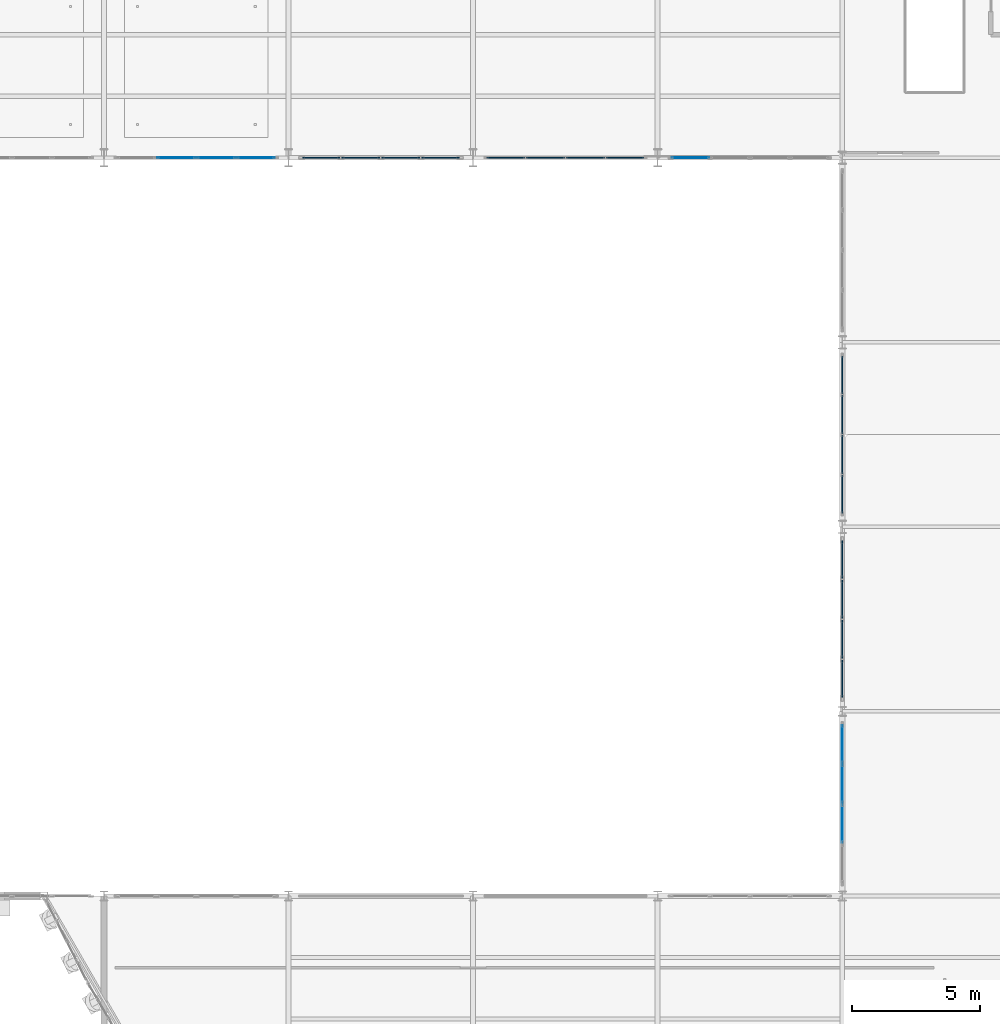
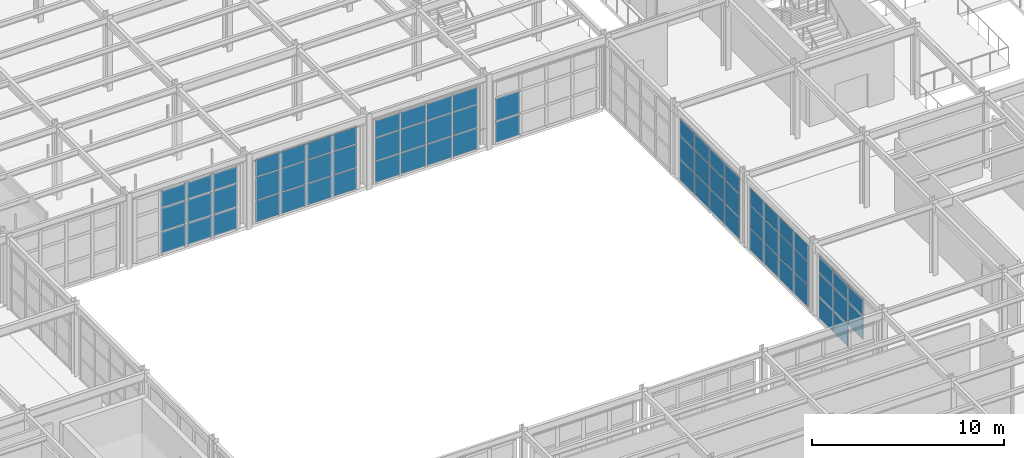
# One storey, part 80 of 121: 67 plates, 7 elements without a shape of their own.
"""IFC4 building model written with IfcOpenShell, lengths in metres."""

from ifc_helpers import new_model, si_unit, direction, frame, origin, origin_2d, place, context, subcontext, project, spatial, rectangle, extrude, material, layer, layer_set, type_object, element, aggregate, save


model = new_model("IFC4")

# Units and contexts
model_context = context("Model", 3, precision=1e-05, world=origin(), true_north=direction((0.0, 1.0)))
body_context = subcontext(model_context, "Body", "Model", "MODEL_VIEW")
ifc_project = project(units=[si_unit("LENGTHUNIT", "METRE"), si_unit("AREAUNIT", "SQUARE_METRE"), si_unit("VOLUMEUNIT", "CUBIC_METRE"), si_unit("PLANEANGLEUNIT", "RADIAN"), si_unit("MASSUNIT", "GRAM", prefix="KILO")], contexts=[model_context])

# Site, building, storey
site_placement = place(None, origin())
site = spatial("IfcSite", under=ifc_project, at=site_placement, CompositionType="ELEMENT")
building_placement = place(site_placement, origin())
building = spatial("IfcBuilding", under=site, at=building_placement, Name="Solvadek Multi-Sports Hall", CompositionType="ELEMENT")
storey_placement = place(building_placement, frame((0.0, 0.0, 4.800048828125)))
storey = spatial("IfcBuildingStorey", under=building, at=storey_placement, Name="L01", CompositionType="ELEMENT", Elevation=4.800048828125)

# Curtain wall, plates
ifc_material_1 = material(Name="Anodised aluminium", Category="aluminium")
ifc_layer_1 = layer(ifc_material_1, 0.159912109375, Name="Anodised aluminium")
ifc_layer_set_1 = layer_set([ifc_layer_1], Name="Anodised aluminium")
curtain_wall_type_1 = type_object("IfcCurtainWallType", Name="ENV-CW-624X400", PredefinedType="USERDEFINED", material=ifc_layer_set_1)
curtain_wall_1_placement = place(storey_placement, origin())
curtain_wall_1 = element("IfcCurtainWall", 1, at=curtain_wall_1_placement, inside=storey, type_object=curtain_wall_type_1, Name="L01 Perimeter Bay Curtain Wall #178", ObjectType="CURTAIN WALL", PredefinedType="USERDEFINED")
ifc_material_2 = material(Name="Tempered laminated low-E glass", Category="glass")
ifc_layer_2 = layer(ifc_material_2, 0.02392578125, Name="Tempered laminated low-E glass")
ifc_layer_set_2 = layer_set([ifc_layer_2], Name="Tempered laminated low-E glass")
plate_type_1 = type_object("IfcPlateType", Name="ENV-CWP-01", PredefinedType="CURTAIN_PANEL", material=ifc_layer_set_2)
plate_1_placement = place(storey_placement, frame((51.675048828125, 49.199951171875, 0.06494140625), z_axis=(0.0, 0.0, 1.0), x_axis=(1.0, 0.0, 0.0)))
plate_1 = element("IfcPlate", 2, at=plate_1_placement, type_object=plate_type_1, Name="CW-56 panel 1.1", PredefinedType="CURTAIN_PANEL", context=body_context, shape_type="SweptSolid", body=[
    extrude(rectangle(XDim=1.469970703125, YDim=0.02392578125, at=origin_2d()), origin(), (0.0, 0.0, 1.0), 1.302490234375),
])
plate_2_placement = place(storey_placement, frame((51.675048828125, 49.199951171875, 1.432373046875), z_axis=(0.0, 0.0, 1.0), x_axis=(1.0, 0.0, 0.0)))
plate_2 = element("IfcPlate", 3, at=plate_2_placement, type_object=plate_type_1, Name="CW-56 panel 1.2", PredefinedType="CURTAIN_PANEL", context=body_context, shape_type="SweptSolid", body=[
    extrude(rectangle(XDim=1.469970703125, YDim=0.02392578125, at=origin_2d()), origin(), (0.0, 0.0, 1.0), 1.4150390625),
])
aggregate(curtain_wall_1, [plate_1, plate_2])

ifc_layer_3 = layer(ifc_material_1, 0.159912109375, Name="Anodised aluminium")
ifc_layer_set_3 = layer_set([ifc_layer_3], Name="Anodised aluminium")
curtain_wall_type_2 = type_object("IfcCurtainWallType", Name="ENV-CW-624X408", PredefinedType="USERDEFINED", material=ifc_layer_set_3)
curtain_wall_2_placement = place(storey_placement, origin())
curtain_wall_2 = element("IfcCurtainWall", 4, at=curtain_wall_2_placement, inside=storey, type_object=curtain_wall_type_2, Name="L01 Perimeter Bay Curtain Wall #162", ObjectType="CURTAIN WALL", PredefinedType="USERDEFINED")
ifc_layer_4 = layer(ifc_material_2, 0.035888671875, Name="Tempered laminated low-E glass")
ifc_layer_set_4 = layer_set([ifc_layer_4], Name="Tempered laminated low-E glass")
plate_type_2 = type_object("IfcPlateType", Name="ENV-CWP-04", PredefinedType="CURTAIN_PANEL", material=ifc_layer_set_4)
plate_3_placement = place(storey_placement, frame((31.6201171875, 49.199951171875, 0.06494140625), z_axis=(0.0, 0.0, 1.0), x_axis=(1.0, 0.0, 0.0)))
plate_3 = element("IfcPlate", 5, at=plate_3_placement, type_object=plate_type_2, Name="CW-40 panel 2.1", PredefinedType="CURTAIN_PANEL", context=body_context, shape_type="SweptSolid", body=[
    extrude(rectangle(XDim=1.4951171875, YDim=0.035888671875, at=origin_2d()), origin(), (0.0, 0.0, 1.0), 1.32861328125),
])
plate_4_placement = place(storey_placement, frame((31.6201171875, 49.199951171875, 1.45849609375), z_axis=(0.0, 0.0, 1.0), x_axis=(1.0, 0.0, 0.0)))
plate_4 = element("IfcPlate", 6, at=plate_4_placement, type_object=plate_type_2, Name="CW-40 panel 2.2", PredefinedType="CURTAIN_PANEL", context=body_context, shape_type="SweptSolid", body=[
    extrude(rectangle(XDim=1.4951171875, YDim=0.035888671875, at=origin_2d()), origin(), (0.0, 0.0, 1.0), 1.443115234375),
])
plate_5_placement = place(storey_placement, frame((31.6201171875, 49.199951171875, 2.966552734375), z_axis=(0.0, 0.0, 1.0), x_axis=(1.0, 0.0, 0.0)))
plate_5 = element("IfcPlate", 7, at=plate_5_placement, type_object=plate_type_2, Name="CW-40 panel 2.3", PredefinedType="CURTAIN_PANEL", context=body_context, shape_type="SweptSolid", body=[
    extrude(rectangle(XDim=1.4951171875, YDim=0.035888671875, at=origin_2d()), origin(), (0.0, 0.0, 1.0), 1.04345703125),
])
plate_6_placement = place(storey_placement, frame((33.179931640625, 49.199951171875, 0.06494140625), z_axis=(0.0, 0.0, 1.0), x_axis=(1.0, 0.0, 0.0)))
plate_6 = element("IfcPlate", 8, at=plate_6_placement, type_object=plate_type_2, Name="CW-40 panel 3.1", PredefinedType="CURTAIN_PANEL", context=body_context, shape_type="SweptSolid", body=[
    extrude(rectangle(XDim=1.4951171875, YDim=0.035888671875, at=origin_2d()), origin(), (0.0, 0.0, 1.0), 1.32861328125),
])
plate_7_placement = place(storey_placement, frame((33.179931640625, 49.199951171875, 1.45849609375), z_axis=(0.0, 0.0, 1.0), x_axis=(1.0, 0.0, 0.0)))
plate_7 = element("IfcPlate", 9, at=plate_7_placement, type_object=plate_type_2, Name="CW-40 panel 3.2", PredefinedType="CURTAIN_PANEL", context=body_context, shape_type="SweptSolid", body=[
    extrude(rectangle(XDim=1.4951171875, YDim=0.035888671875, at=origin_2d()), origin(), (0.0, 0.0, 1.0), 1.443115234375),
])
plate_8_placement = place(storey_placement, frame((33.179931640625, 49.199951171875, 2.966552734375), z_axis=(0.0, 0.0, 1.0), x_axis=(1.0, 0.0, 0.0)))
plate_8 = element("IfcPlate", 10, at=plate_8_placement, type_object=plate_type_2, Name="CW-40 panel 3.3", PredefinedType="CURTAIN_PANEL", context=body_context, shape_type="SweptSolid", body=[
    extrude(rectangle(XDim=1.4951171875, YDim=0.035888671875, at=origin_2d()), origin(), (0.0, 0.0, 1.0), 1.04345703125),
])
plate_9_placement = place(storey_placement, frame((34.7236328125, 49.199951171875, 0.06494140625), z_axis=(0.0, 0.0, 1.0), x_axis=(1.0, 0.0, 0.0)))
plate_9 = element("IfcPlate", 11, at=plate_9_placement, type_object=plate_type_2, Name="CW-40 panel 4.1", PredefinedType="CURTAIN_PANEL", context=body_context, shape_type="SweptSolid", body=[
    extrude(rectangle(XDim=1.46240234375, YDim=0.035888671875, at=origin_2d()), origin(), (0.0, 0.0, 1.0), 1.32861328125),
])
plate_10_placement = place(storey_placement, frame((34.7236328125, 49.199951171875, 1.45849609375), z_axis=(0.0, 0.0, 1.0), x_axis=(1.0, 0.0, 0.0)))
plate_10 = element("IfcPlate", 12, at=plate_10_placement, type_object=plate_type_2, Name="CW-40 panel 4.2", PredefinedType="CURTAIN_PANEL", context=body_context, shape_type="SweptSolid", body=[
    extrude(rectangle(XDim=1.46240234375, YDim=0.035888671875, at=origin_2d()), origin(), (0.0, 0.0, 1.0), 1.443115234375),
])
plate_11_placement = place(storey_placement, frame((34.7236328125, 49.199951171875, 2.966552734375), z_axis=(0.0, 0.0, 1.0), x_axis=(1.0, 0.0, 0.0)))
plate_11 = element("IfcPlate", 13, at=plate_11_placement, type_object=plate_type_2, Name="CW-40 panel 4.3", PredefinedType="CURTAIN_PANEL", context=body_context, shape_type="SweptSolid", body=[
    extrude(rectangle(XDim=1.46240234375, YDim=0.035888671875, at=origin_2d()), origin(), (0.0, 0.0, 1.0), 1.04345703125),
])
aggregate(curtain_wall_2, [plate_3, plate_4, plate_5, plate_6, plate_7, plate_8, plate_9, plate_10, plate_11])

curtain_wall_3_placement = place(storey_placement, origin())
curtain_wall_3 = element("IfcCurtainWall", 14, at=curtain_wall_3_placement, inside=storey, type_object=curtain_wall_type_2, Name="L01 Perimeter Bay Curtain Wall #184", ObjectType="CURTAIN WALL", PredefinedType="USERDEFINED")
plate_12_placement = place(storey_placement, frame((57.60009765625, 23.219970703125, 1.45849609375), z_axis=(0.0, 0.0, 1.0), x_axis=(0.0, 1.0, 0.0)))
plate_12 = element("IfcPlate", 15, at=plate_12_placement, type_object=plate_type_2, Name="CW-40 panel 2.2", PredefinedType="CURTAIN_PANEL", context=body_context, shape_type="SweptSolid", body=[
    extrude(rectangle(XDim=1.4951171875, YDim=0.035888671875, at=origin_2d()), origin(), (0.0, 0.0, 1.0), 1.443115234375),
])
plate_13_placement = place(storey_placement, frame((57.60009765625, 23.219970703125, 2.966552734375), z_axis=(0.0, 0.0, 1.0), x_axis=(0.0, 1.0, 0.0)))
plate_13 = element("IfcPlate", 16, at=plate_13_placement, type_object=plate_type_2, Name="CW-40 panel 2.3", PredefinedType="CURTAIN_PANEL", context=body_context, shape_type="SweptSolid", body=[
    extrude(rectangle(XDim=1.4951171875, YDim=0.035888671875, at=origin_2d()), origin(), (0.0, 0.0, 1.0), 1.04345703125),
])
plate_14_placement = place(storey_placement, frame((57.60009765625, 24.780029296875, 0.06494140625), z_axis=(0.0, 0.0, 1.0), x_axis=(0.0, 1.0, 0.0)))
plate_14 = element("IfcPlate", 17, at=plate_14_placement, type_object=plate_type_2, Name="CW-40 panel 3.1", PredefinedType="CURTAIN_PANEL", context=body_context, shape_type="SweptSolid", body=[
    extrude(rectangle(XDim=1.4951171875, YDim=0.035888671875, at=origin_2d()), origin(), (0.0, 0.0, 1.0), 1.32861328125),
])
plate_15_placement = place(storey_placement, frame((57.60009765625, 24.780029296875, 1.45849609375), z_axis=(0.0, 0.0, 1.0), x_axis=(0.0, 1.0, 0.0)))
plate_15 = element("IfcPlate", 18, at=plate_15_placement, type_object=plate_type_2, Name="CW-40 panel 3.2", PredefinedType="CURTAIN_PANEL", context=body_context, shape_type="SweptSolid", body=[
    extrude(rectangle(XDim=1.4951171875, YDim=0.035888671875, at=origin_2d()), origin(), (0.0, 0.0, 1.0), 1.443115234375),
])
plate_16_placement = place(storey_placement, frame((57.60009765625, 24.780029296875, 2.966552734375), z_axis=(0.0, 0.0, 1.0), x_axis=(0.0, 1.0, 0.0)))
plate_16 = element("IfcPlate", 19, at=plate_16_placement, type_object=plate_type_2, Name="CW-40 panel 3.3", PredefinedType="CURTAIN_PANEL", context=body_context, shape_type="SweptSolid", body=[
    extrude(rectangle(XDim=1.4951171875, YDim=0.035888671875, at=origin_2d()), origin(), (0.0, 0.0, 1.0), 1.04345703125),
])
plate_17_placement = place(storey_placement, frame((57.60009765625, 26.32373046875, 0.06494140625), z_axis=(0.0, 0.0, 1.0), x_axis=(0.0, 1.0, 0.0)))
plate_17 = element("IfcPlate", 20, at=plate_17_placement, type_object=plate_type_2, Name="CW-40 panel 4.1", PredefinedType="CURTAIN_PANEL", context=body_context, shape_type="SweptSolid", body=[
    extrude(rectangle(XDim=1.46240234375, YDim=0.035888671875, at=origin_2d()), origin(), (0.0, 0.0, 1.0), 1.32861328125),
])
plate_18_placement = place(storey_placement, frame((57.60009765625, 26.32373046875, 1.45849609375), z_axis=(0.0, 0.0, 1.0), x_axis=(0.0, 1.0, 0.0)))
plate_18 = element("IfcPlate", 21, at=plate_18_placement, type_object=plate_type_2, Name="CW-40 panel 4.2", PredefinedType="CURTAIN_PANEL", context=body_context, shape_type="SweptSolid", body=[
    extrude(rectangle(XDim=1.46240234375, YDim=0.035888671875, at=origin_2d()), origin(), (0.0, 0.0, 1.0), 1.443115234375),
])
plate_19_placement = place(storey_placement, frame((57.60009765625, 26.32373046875, 2.966552734375), z_axis=(0.0, 0.0, 1.0), x_axis=(0.0, 1.0, 0.0)))
plate_19 = element("IfcPlate", 22, at=plate_19_placement, type_object=plate_type_2, Name="CW-40 panel 4.3", PredefinedType="CURTAIN_PANEL", context=body_context, shape_type="SweptSolid", body=[
    extrude(rectangle(XDim=1.46240234375, YDim=0.035888671875, at=origin_2d()), origin(), (0.0, 0.0, 1.0), 1.04345703125),
])
aggregate(curtain_wall_3, [plate_12, plate_13, plate_14, plate_15, plate_16, plate_17, plate_18, plate_19])

ifc_layer_5 = layer(ifc_material_1, 0.159912109375, Name="Anodised aluminium")
ifc_layer_set_5 = layer_set([ifc_layer_5], Name="Anodised aluminium")
curtain_wall_type_3 = type_object("IfcCurtainWallType", Name="ENV-CW-624X405", PredefinedType="USERDEFINED", material=ifc_layer_set_5)
curtain_wall_4_placement = place(storey_placement, origin())
curtain_wall_4 = element("IfcCurtainWall", 23, at=curtain_wall_4_placement, inside=storey, type_object=curtain_wall_type_3, Name="L01 Perimeter Bay Curtain Wall #166", ObjectType="CURTAIN WALL", PredefinedType="USERDEFINED")
ifc_layer_6 = layer(ifc_material_2, 0.0419921875, Name="Tempered laminated low-E glass")
ifc_layer_set_6 = layer_set([ifc_layer_6], Name="Tempered laminated low-E glass")
plate_type_3 = type_object("IfcPlateType", Name="ENV-CWP-05", PredefinedType="CURTAIN_PANEL", material=ifc_layer_set_6)
plate_20_placement = place(storey_placement, frame((37.277587890625, 49.199951171875, 0.06005859375), z_axis=(0.0, 0.0, 1.0), x_axis=(1.0, 0.0, 0.0)))
plate_20 = element("IfcPlate", 24, at=plate_20_placement, type_object=plate_type_3, Name="CW-52 panel 1.1", PredefinedType="CURTAIN_PANEL", context=body_context, shape_type="SweptSolid", body=[
    extrude(rectangle(XDim=1.455078125, YDim=0.0419921875, at=origin_2d()), origin(), (0.0, 0.0, 1.0), 1.326904296875),
])
plate_21_placement = place(storey_placement, frame((37.277587890625, 49.199951171875, 1.447021484375), z_axis=(0.0, 0.0, 1.0), x_axis=(1.0, 0.0, 0.0)))
plate_21 = element("IfcPlate", 25, at=plate_21_placement, type_object=plate_type_3, Name="CW-52 panel 1.2", PredefinedType="CURTAIN_PANEL", context=body_context, shape_type="SweptSolid", body=[
    extrude(rectangle(XDim=1.455078125, YDim=0.0419921875, at=origin_2d()), origin(), (0.0, 0.0, 1.0), 1.43896484375),
])
plate_22_placement = place(storey_placement, frame((37.277587890625, 49.199951171875, 2.946044921875), z_axis=(0.0, 0.0, 1.0), x_axis=(1.0, 0.0, 0.0)))
plate_22 = element("IfcPlate", 26, at=plate_22_placement, type_object=plate_type_3, Name="CW-52 panel 1.3", PredefinedType="CURTAIN_PANEL", context=body_context, shape_type="SweptSolid", body=[
    extrude(rectangle(XDim=1.455078125, YDim=0.0419921875, at=origin_2d()), origin(), (0.0, 0.0, 1.0), 1.0439453125),
])
plate_23_placement = place(storey_placement, frame((38.820068359375, 49.199951171875, 0.06005859375), z_axis=(0.0, 0.0, 1.0), x_axis=(1.0, 0.0, 0.0)))
plate_23 = element("IfcPlate", 27, at=plate_23_placement, type_object=plate_type_3, Name="CW-52 panel 2.1", PredefinedType="CURTAIN_PANEL", context=body_context, shape_type="SweptSolid", body=[
    extrude(rectangle(XDim=1.489990234375, YDim=0.0419921875, at=origin_2d()), origin(), (0.0, 0.0, 1.0), 1.326904296875),
])
plate_24_placement = place(storey_placement, frame((38.820068359375, 49.199951171875, 1.447021484375), z_axis=(0.0, 0.0, 1.0), x_axis=(1.0, 0.0, 0.0)))
plate_24 = element("IfcPlate", 28, at=plate_24_placement, type_object=plate_type_3, Name="CW-52 panel 2.2", PredefinedType="CURTAIN_PANEL", context=body_context, shape_type="SweptSolid", body=[
    extrude(rectangle(XDim=1.489990234375, YDim=0.0419921875, at=origin_2d()), origin(), (0.0, 0.0, 1.0), 1.43896484375),
])
plate_25_placement = place(storey_placement, frame((38.820068359375, 49.199951171875, 2.946044921875), z_axis=(0.0, 0.0, 1.0), x_axis=(1.0, 0.0, 0.0)))
plate_25 = element("IfcPlate", 29, at=plate_25_placement, type_object=plate_type_3, Name="CW-52 panel 2.3", PredefinedType="CURTAIN_PANEL", context=body_context, shape_type="SweptSolid", body=[
    extrude(rectangle(XDim=1.489990234375, YDim=0.0419921875, at=origin_2d()), origin(), (0.0, 0.0, 1.0), 1.0439453125),
])
plate_26_placement = place(storey_placement, frame((40.3798828125, 49.199951171875, 0.06005859375), z_axis=(0.0, 0.0, 1.0), x_axis=(1.0, 0.0, 0.0)))
plate_26 = element("IfcPlate", 30, at=plate_26_placement, type_object=plate_type_3, Name="CW-52 panel 3.1", PredefinedType="CURTAIN_PANEL", context=body_context, shape_type="SweptSolid", body=[
    extrude(rectangle(XDim=1.489990234375, YDim=0.0419921875, at=origin_2d()), origin(), (0.0, 0.0, 1.0), 1.326904296875),
])
plate_27_placement = place(storey_placement, frame((40.3798828125, 49.199951171875, 1.447021484375), z_axis=(0.0, 0.0, 1.0), x_axis=(1.0, 0.0, 0.0)))
plate_27 = element("IfcPlate", 31, at=plate_27_placement, type_object=plate_type_3, Name="CW-52 panel 3.2", PredefinedType="CURTAIN_PANEL", context=body_context, shape_type="SweptSolid", body=[
    extrude(rectangle(XDim=1.489990234375, YDim=0.0419921875, at=origin_2d()), origin(), (0.0, 0.0, 1.0), 1.43896484375),
])
plate_28_placement = place(storey_placement, frame((40.3798828125, 49.199951171875, 2.946044921875), z_axis=(0.0, 0.0, 1.0), x_axis=(1.0, 0.0, 0.0)))
plate_28 = element("IfcPlate", 32, at=plate_28_placement, type_object=plate_type_3, Name="CW-52 panel 3.3", PredefinedType="CURTAIN_PANEL", context=body_context, shape_type="SweptSolid", body=[
    extrude(rectangle(XDim=1.489990234375, YDim=0.0419921875, at=origin_2d()), origin(), (0.0, 0.0, 1.0), 1.0439453125),
])
plate_29_placement = place(storey_placement, frame((41.922607421875, 49.199951171875, 0.06005859375), z_axis=(0.0, 0.0, 1.0), x_axis=(1.0, 0.0, 0.0)))
plate_29 = element("IfcPlate", 33, at=plate_29_placement, type_object=plate_type_3, Name="CW-52 panel 4.1", PredefinedType="CURTAIN_PANEL", context=body_context, shape_type="SweptSolid", body=[
    extrude(rectangle(XDim=1.455078125, YDim=0.0419921875, at=origin_2d()), origin(), (0.0, 0.0, 1.0), 1.326904296875),
])
plate_30_placement = place(storey_placement, frame((41.922607421875, 49.199951171875, 1.447021484375), z_axis=(0.0, 0.0, 1.0), x_axis=(1.0, 0.0, 0.0)))
plate_30 = element("IfcPlate", 34, at=plate_30_placement, type_object=plate_type_3, Name="CW-52 panel 4.2", PredefinedType="CURTAIN_PANEL", context=body_context, shape_type="SweptSolid", body=[
    extrude(rectangle(XDim=1.455078125, YDim=0.0419921875, at=origin_2d()), origin(), (0.0, 0.0, 1.0), 1.43896484375),
])
plate_31_placement = place(storey_placement, frame((41.922607421875, 49.199951171875, 2.946044921875), z_axis=(0.0, 0.0, 1.0), x_axis=(1.0, 0.0, 0.0)))
plate_31 = element("IfcPlate", 35, at=plate_31_placement, type_object=plate_type_3, Name="CW-52 panel 4.3", PredefinedType="CURTAIN_PANEL", context=body_context, shape_type="SweptSolid", body=[
    extrude(rectangle(XDim=1.455078125, YDim=0.0419921875, at=origin_2d()), origin(), (0.0, 0.0, 1.0), 1.0439453125),
])
aggregate(curtain_wall_4, [plate_20, plate_21, plate_22, plate_23, plate_24, plate_25, plate_26, plate_27, plate_28, plate_29, plate_30, plate_31])

curtain_wall_5_placement = place(storey_placement, origin())
curtain_wall_5 = element("IfcCurtainWall", 36, at=curtain_wall_5_placement, inside=storey, type_object=curtain_wall_type_3, Name="L01 Perimeter Bay Curtain Wall #190", ObjectType="CURTAIN WALL", PredefinedType="USERDEFINED")
plate_32_placement = place(storey_placement, frame((57.60009765625, 28.87744140625, 0.06005859375), z_axis=(0.0, 0.0, 1.0), x_axis=(0.0, 1.0, 0.0)))
plate_32 = element("IfcPlate", 37, at=plate_32_placement, type_object=plate_type_3, Name="CW-52 panel 1.1", PredefinedType="CURTAIN_PANEL", context=body_context, shape_type="SweptSolid", body=[
    extrude(rectangle(XDim=1.455078125, YDim=0.0419921875, at=origin_2d()), origin(), (0.0, 0.0, 1.0), 1.326904296875),
])
plate_33_placement = place(storey_placement, frame((57.60009765625, 28.87744140625, 1.447021484375), z_axis=(0.0, 0.0, 1.0), x_axis=(0.0, 1.0, 0.0)))
plate_33 = element("IfcPlate", 38, at=plate_33_placement, type_object=plate_type_3, Name="CW-52 panel 1.2", PredefinedType="CURTAIN_PANEL", context=body_context, shape_type="SweptSolid", body=[
    extrude(rectangle(XDim=1.455078125, YDim=0.0419921875, at=origin_2d()), origin(), (0.0, 0.0, 1.0), 1.43896484375),
])
plate_34_placement = place(storey_placement, frame((57.60009765625, 28.87744140625, 2.946044921875), z_axis=(0.0, 0.0, 1.0), x_axis=(0.0, 1.0, 0.0)))
plate_34 = element("IfcPlate", 39, at=plate_34_placement, type_object=plate_type_3, Name="CW-52 panel 1.3", PredefinedType="CURTAIN_PANEL", context=body_context, shape_type="SweptSolid", body=[
    extrude(rectangle(XDim=1.455078125, YDim=0.0419921875, at=origin_2d()), origin(), (0.0, 0.0, 1.0), 1.0439453125),
])
plate_35_placement = place(storey_placement, frame((57.60009765625, 30.419921875, 0.06005859375), z_axis=(0.0, 0.0, 1.0), x_axis=(0.0, 1.0, 0.0)))
plate_35 = element("IfcPlate", 40, at=plate_35_placement, type_object=plate_type_3, Name="CW-52 panel 2.1", PredefinedType="CURTAIN_PANEL", context=body_context, shape_type="SweptSolid", body=[
    extrude(rectangle(XDim=1.489990234375, YDim=0.0419921875, at=origin_2d()), origin(), (0.0, 0.0, 1.0), 1.326904296875),
])
plate_36_placement = place(storey_placement, frame((57.60009765625, 30.419921875, 1.447021484375), z_axis=(0.0, 0.0, 1.0), x_axis=(0.0, 1.0, 0.0)))
plate_36 = element("IfcPlate", 41, at=plate_36_placement, type_object=plate_type_3, Name="CW-52 panel 2.2", PredefinedType="CURTAIN_PANEL", context=body_context, shape_type="SweptSolid", body=[
    extrude(rectangle(XDim=1.489990234375, YDim=0.0419921875, at=origin_2d()), origin(), (0.0, 0.0, 1.0), 1.43896484375),
])
plate_37_placement = place(storey_placement, frame((57.60009765625, 30.419921875, 2.946044921875), z_axis=(0.0, 0.0, 1.0), x_axis=(0.0, 1.0, 0.0)))
plate_37 = element("IfcPlate", 42, at=plate_37_placement, type_object=plate_type_3, Name="CW-52 panel 2.3", PredefinedType="CURTAIN_PANEL", context=body_context, shape_type="SweptSolid", body=[
    extrude(rectangle(XDim=1.489990234375, YDim=0.0419921875, at=origin_2d()), origin(), (0.0, 0.0, 1.0), 1.0439453125),
])
plate_38_placement = place(storey_placement, frame((57.60009765625, 31.97998046875, 0.06005859375), z_axis=(0.0, 0.0, 1.0), x_axis=(0.0, 1.0, 0.0)))
plate_38 = element("IfcPlate", 43, at=plate_38_placement, type_object=plate_type_3, Name="CW-52 panel 3.1", PredefinedType="CURTAIN_PANEL", context=body_context, shape_type="SweptSolid", body=[
    extrude(rectangle(XDim=1.489990234375, YDim=0.0419921875, at=origin_2d()), origin(), (0.0, 0.0, 1.0), 1.326904296875),
])
plate_39_placement = place(storey_placement, frame((57.60009765625, 31.97998046875, 1.447021484375), z_axis=(0.0, 0.0, 1.0), x_axis=(0.0, 1.0, 0.0)))
plate_39 = element("IfcPlate", 44, at=plate_39_placement, type_object=plate_type_3, Name="CW-52 panel 3.2", PredefinedType="CURTAIN_PANEL", context=body_context, shape_type="SweptSolid", body=[
    extrude(rectangle(XDim=1.489990234375, YDim=0.0419921875, at=origin_2d()), origin(), (0.0, 0.0, 1.0), 1.43896484375),
])
plate_40_placement = place(storey_placement, frame((57.60009765625, 31.97998046875, 2.946044921875), z_axis=(0.0, 0.0, 1.0), x_axis=(0.0, 1.0, 0.0)))
plate_40 = element("IfcPlate", 45, at=plate_40_placement, type_object=plate_type_3, Name="CW-52 panel 3.3", PredefinedType="CURTAIN_PANEL", context=body_context, shape_type="SweptSolid", body=[
    extrude(rectangle(XDim=1.489990234375, YDim=0.0419921875, at=origin_2d()), origin(), (0.0, 0.0, 1.0), 1.0439453125),
])
plate_41_placement = place(storey_placement, frame((57.60009765625, 33.5224609375, 0.06005859375), z_axis=(0.0, 0.0, 1.0), x_axis=(0.0, 1.0, 0.0)))
plate_41 = element("IfcPlate", 46, at=plate_41_placement, type_object=plate_type_3, Name="CW-52 panel 4.1", PredefinedType="CURTAIN_PANEL", context=body_context, shape_type="SweptSolid", body=[
    extrude(rectangle(XDim=1.455078125, YDim=0.0419921875, at=origin_2d()), origin(), (0.0, 0.0, 1.0), 1.326904296875),
])
plate_42_placement = place(storey_placement, frame((57.60009765625, 33.5224609375, 1.447021484375), z_axis=(0.0, 0.0, 1.0), x_axis=(0.0, 1.0, 0.0)))
plate_42 = element("IfcPlate", 47, at=plate_42_placement, type_object=plate_type_3, Name="CW-52 panel 4.2", PredefinedType="CURTAIN_PANEL", context=body_context, shape_type="SweptSolid", body=[
    extrude(rectangle(XDim=1.455078125, YDim=0.0419921875, at=origin_2d()), origin(), (0.0, 0.0, 1.0), 1.43896484375),
])
plate_43_placement = place(storey_placement, frame((57.60009765625, 33.5224609375, 2.946044921875), z_axis=(0.0, 0.0, 1.0), x_axis=(0.0, 1.0, 0.0)))
plate_43 = element("IfcPlate", 48, at=plate_43_placement, type_object=plate_type_3, Name="CW-52 panel 4.3", PredefinedType="CURTAIN_PANEL", context=body_context, shape_type="SweptSolid", body=[
    extrude(rectangle(XDim=1.455078125, YDim=0.0419921875, at=origin_2d()), origin(), (0.0, 0.0, 1.0), 1.0439453125),
])
aggregate(curtain_wall_5, [plate_32, plate_33, plate_34, plate_35, plate_36, plate_37, plate_38, plate_39, plate_40, plate_41, plate_42, plate_43])

ifc_layer_7 = layer(ifc_material_1, 0.159912109375, Name="Anodised aluminium")
ifc_layer_set_7 = layer_set([ifc_layer_7], Name="Anodised aluminium")
curtain_wall_type_4 = type_object("IfcCurtainWallType", Name="ENV-CW-624X402", PredefinedType="USERDEFINED", material=ifc_layer_set_7)
curtain_wall_6_placement = place(storey_placement, origin())
curtain_wall_6 = element("IfcCurtainWall", 49, at=curtain_wall_6_placement, inside=storey, type_object=curtain_wall_type_4, Name="L01 Perimeter Bay Curtain Wall #172", ObjectType="CURTAIN WALL", PredefinedType="USERDEFINED")
ifc_layer_8 = layer(ifc_material_2, 0.048095703125, Name="Tempered laminated low-E glass")
ifc_layer_set_8 = layer_set([ifc_layer_8], Name="Tempered laminated low-E glass")
plate_type_4 = type_object("IfcPlateType", Name="ENV-CWP-06", PredefinedType="CURTAIN_PANEL", material=ifc_layer_set_8)
plate_44_placement = place(storey_placement, frame((44.47509765625, 49.199951171875, 0.06005859375), z_axis=(0.0, 0.0, 1.0), x_axis=(1.0, 0.0, 0.0)))
plate_44 = element("IfcPlate", 50, at=plate_44_placement, type_object=plate_type_4, Name="CW-55 panel 1.1", PredefinedType="CURTAIN_PANEL", context=body_context, shape_type="SweptSolid", body=[
    extrude(rectangle(XDim=1.469970703125, YDim=0.048095703125, at=origin_2d()), origin(), (0.0, 0.0, 1.0), 1.319091796875),
])
plate_45_placement = place(storey_placement, frame((44.47509765625, 49.199951171875, 1.43896484375), z_axis=(0.0, 0.0, 1.0), x_axis=(1.0, 0.0, 0.0)))
plate_45 = element("IfcPlate", 51, at=plate_45_placement, type_object=plate_type_4, Name="CW-55 panel 1.2", PredefinedType="CURTAIN_PANEL", context=body_context, shape_type="SweptSolid", body=[
    extrude(rectangle(XDim=1.469970703125, YDim=0.048095703125, at=origin_2d()), origin(), (0.0, 0.0, 1.0), 1.428955078125),
])
plate_46_placement = place(storey_placement, frame((44.47509765625, 49.199951171875, 2.927978515625), z_axis=(0.0, 0.0, 1.0), x_axis=(1.0, 0.0, 0.0)))
plate_46 = element("IfcPlate", 52, at=plate_46_placement, type_object=plate_type_4, Name="CW-55 panel 1.3", PredefinedType="CURTAIN_PANEL", context=body_context, shape_type="SweptSolid", body=[
    extrude(rectangle(XDim=1.469970703125, YDim=0.048095703125, at=origin_2d()), origin(), (0.0, 0.0, 1.0), 1.037109375),
])
plate_47_placement = place(storey_placement, frame((46.02001953125, 49.199951171875, 0.06005859375), z_axis=(0.0, 0.0, 1.0), x_axis=(1.0, 0.0, 0.0)))
plate_47 = element("IfcPlate", 53, at=plate_47_placement, type_object=plate_type_4, Name="CW-55 panel 2.1", PredefinedType="CURTAIN_PANEL", context=body_context, shape_type="SweptSolid", body=[
    extrude(rectangle(XDim=1.5, YDim=0.048095703125, at=origin_2d()), origin(), (0.0, 0.0, 1.0), 1.319091796875),
])
plate_48_placement = place(storey_placement, frame((46.02001953125, 49.199951171875, 1.43896484375), z_axis=(0.0, 0.0, 1.0), x_axis=(1.0, 0.0, 0.0)))
plate_48 = element("IfcPlate", 54, at=plate_48_placement, type_object=plate_type_4, Name="CW-55 panel 2.2", PredefinedType="CURTAIN_PANEL", context=body_context, shape_type="SweptSolid", body=[
    extrude(rectangle(XDim=1.5, YDim=0.048095703125, at=origin_2d()), origin(), (0.0, 0.0, 1.0), 1.428955078125),
])
plate_49_placement = place(storey_placement, frame((46.02001953125, 49.199951171875, 2.927978515625), z_axis=(0.0, 0.0, 1.0), x_axis=(1.0, 0.0, 0.0)))
plate_49 = element("IfcPlate", 55, at=plate_49_placement, type_object=plate_type_4, Name="CW-55 panel 2.3", PredefinedType="CURTAIN_PANEL", context=body_context, shape_type="SweptSolid", body=[
    extrude(rectangle(XDim=1.5, YDim=0.048095703125, at=origin_2d()), origin(), (0.0, 0.0, 1.0), 1.037109375),
])
plate_50_placement = place(storey_placement, frame((47.580078125, 49.199951171875, 0.06005859375), z_axis=(0.0, 0.0, 1.0), x_axis=(1.0, 0.0, 0.0)))
plate_50 = element("IfcPlate", 56, at=plate_50_placement, type_object=plate_type_4, Name="CW-55 panel 3.1", PredefinedType="CURTAIN_PANEL", context=body_context, shape_type="SweptSolid", body=[
    extrude(rectangle(XDim=1.5, YDim=0.048095703125, at=origin_2d()), origin(), (0.0, 0.0, 1.0), 1.319091796875),
])
plate_51_placement = place(storey_placement, frame((47.580078125, 49.199951171875, 1.43896484375), z_axis=(0.0, 0.0, 1.0), x_axis=(1.0, 0.0, 0.0)))
plate_51 = element("IfcPlate", 57, at=plate_51_placement, type_object=plate_type_4, Name="CW-55 panel 3.2", PredefinedType="CURTAIN_PANEL", context=body_context, shape_type="SweptSolid", body=[
    extrude(rectangle(XDim=1.5, YDim=0.048095703125, at=origin_2d()), origin(), (0.0, 0.0, 1.0), 1.428955078125),
])
plate_52_placement = place(storey_placement, frame((47.580078125, 49.199951171875, 2.927978515625), z_axis=(0.0, 0.0, 1.0), x_axis=(1.0, 0.0, 0.0)))
plate_52 = element("IfcPlate", 58, at=plate_52_placement, type_object=plate_type_4, Name="CW-55 panel 3.3", PredefinedType="CURTAIN_PANEL", context=body_context, shape_type="SweptSolid", body=[
    extrude(rectangle(XDim=1.5, YDim=0.048095703125, at=origin_2d()), origin(), (0.0, 0.0, 1.0), 1.037109375),
])
plate_53_placement = place(storey_placement, frame((49.125, 49.199951171875, 0.06005859375), z_axis=(0.0, 0.0, 1.0), x_axis=(1.0, 0.0, 0.0)))
plate_53 = element("IfcPlate", 59, at=plate_53_placement, type_object=plate_type_4, Name="CW-55 panel 4.1", PredefinedType="CURTAIN_PANEL", context=body_context, shape_type="SweptSolid", body=[
    extrude(rectangle(XDim=1.469970703125, YDim=0.048095703125, at=origin_2d()), origin(), (0.0, 0.0, 1.0), 1.319091796875),
])
plate_54_placement = place(storey_placement, frame((49.125, 49.199951171875, 1.43896484375), z_axis=(0.0, 0.0, 1.0), x_axis=(1.0, 0.0, 0.0)))
plate_54 = element("IfcPlate", 60, at=plate_54_placement, type_object=plate_type_4, Name="CW-55 panel 4.2", PredefinedType="CURTAIN_PANEL", context=body_context, shape_type="SweptSolid", body=[
    extrude(rectangle(XDim=1.469970703125, YDim=0.048095703125, at=origin_2d()), origin(), (0.0, 0.0, 1.0), 1.428955078125),
])
plate_55_placement = place(storey_placement, frame((49.125, 49.199951171875, 2.927978515625), z_axis=(0.0, 0.0, 1.0), x_axis=(1.0, 0.0, 0.0)))
plate_55 = element("IfcPlate", 61, at=plate_55_placement, type_object=plate_type_4, Name="CW-55 panel 4.3", PredefinedType="CURTAIN_PANEL", context=body_context, shape_type="SweptSolid", body=[
    extrude(rectangle(XDim=1.469970703125, YDim=0.048095703125, at=origin_2d()), origin(), (0.0, 0.0, 1.0), 1.037109375),
])
aggregate(curtain_wall_6, [plate_44, plate_45, plate_46, plate_47, plate_48, plate_49, plate_50, plate_51, plate_52, plate_53, plate_54, plate_55])

curtain_wall_7_placement = place(storey_placement, origin())
curtain_wall_7 = element("IfcCurtainWall", 62, at=curtain_wall_7_placement, inside=storey, type_object=curtain_wall_type_4, Name="L01 Perimeter Bay Curtain Wall #195", ObjectType="CURTAIN WALL", PredefinedType="USERDEFINED")
plate_56_placement = place(storey_placement, frame((57.60009765625, 36.074951171875, 0.06005859375), z_axis=(0.0, 0.0, 1.0), x_axis=(0.0, 1.0, 0.0)))
plate_56 = element("IfcPlate", 63, at=plate_56_placement, type_object=plate_type_4, Name="CW-55 panel 1.1", PredefinedType="CURTAIN_PANEL", context=body_context, shape_type="SweptSolid", body=[
    extrude(rectangle(XDim=1.469970703125, YDim=0.048095703125, at=origin_2d()), origin(), (0.0, 0.0, 1.0), 1.319091796875),
])
plate_57_placement = place(storey_placement, frame((57.60009765625, 36.074951171875, 1.43896484375), z_axis=(0.0, 0.0, 1.0), x_axis=(0.0, 1.0, 0.0)))
plate_57 = element("IfcPlate", 64, at=plate_57_placement, type_object=plate_type_4, Name="CW-55 panel 1.2", PredefinedType="CURTAIN_PANEL", context=body_context, shape_type="SweptSolid", body=[
    extrude(rectangle(XDim=1.469970703125, YDim=0.048095703125, at=origin_2d()), origin(), (0.0, 0.0, 1.0), 1.428955078125),
])
plate_58_placement = place(storey_placement, frame((57.60009765625, 36.074951171875, 2.927978515625), z_axis=(0.0, 0.0, 1.0), x_axis=(0.0, 1.0, 0.0)))
plate_58 = element("IfcPlate", 65, at=plate_58_placement, type_object=plate_type_4, Name="CW-55 panel 1.3", PredefinedType="CURTAIN_PANEL", context=body_context, shape_type="SweptSolid", body=[
    extrude(rectangle(XDim=1.469970703125, YDim=0.048095703125, at=origin_2d()), origin(), (0.0, 0.0, 1.0), 1.037109375),
])
plate_59_placement = place(storey_placement, frame((57.60009765625, 37.6201171875, 0.06005859375), z_axis=(0.0, 0.0, 1.0), x_axis=(0.0, 1.0, 0.0)))
plate_59 = element("IfcPlate", 66, at=plate_59_placement, type_object=plate_type_4, Name="CW-55 panel 2.1", PredefinedType="CURTAIN_PANEL", context=body_context, shape_type="SweptSolid", body=[
    extrude(rectangle(XDim=1.5, YDim=0.048095703125, at=origin_2d()), origin(), (0.0, 0.0, 1.0), 1.319091796875),
])
plate_60_placement = place(storey_placement, frame((57.60009765625, 37.6201171875, 1.43896484375), z_axis=(0.0, 0.0, 1.0), x_axis=(0.0, 1.0, 0.0)))
plate_60 = element("IfcPlate", 67, at=plate_60_placement, type_object=plate_type_4, Name="CW-55 panel 2.2", PredefinedType="CURTAIN_PANEL", context=body_context, shape_type="SweptSolid", body=[
    extrude(rectangle(XDim=1.5, YDim=0.048095703125, at=origin_2d()), origin(), (0.0, 0.0, 1.0), 1.428955078125),
])
plate_61_placement = place(storey_placement, frame((57.60009765625, 37.6201171875, 2.927978515625), z_axis=(0.0, 0.0, 1.0), x_axis=(0.0, 1.0, 0.0)))
plate_61 = element("IfcPlate", 68, at=plate_61_placement, type_object=plate_type_4, Name="CW-55 panel 2.3", PredefinedType="CURTAIN_PANEL", context=body_context, shape_type="SweptSolid", body=[
    extrude(rectangle(XDim=1.5, YDim=0.048095703125, at=origin_2d()), origin(), (0.0, 0.0, 1.0), 1.037109375),
])
plate_62_placement = place(storey_placement, frame((57.60009765625, 39.179931640625, 0.06005859375), z_axis=(0.0, 0.0, 1.0), x_axis=(0.0, 1.0, 0.0)))
plate_62 = element("IfcPlate", 69, at=plate_62_placement, type_object=plate_type_4, Name="CW-55 panel 3.1", PredefinedType="CURTAIN_PANEL", context=body_context, shape_type="SweptSolid", body=[
    extrude(rectangle(XDim=1.5, YDim=0.048095703125, at=origin_2d()), origin(), (0.0, 0.0, 1.0), 1.319091796875),
])
plate_63_placement = place(storey_placement, frame((57.60009765625, 39.179931640625, 1.43896484375), z_axis=(0.0, 0.0, 1.0), x_axis=(0.0, 1.0, 0.0)))
plate_63 = element("IfcPlate", 70, at=plate_63_placement, type_object=plate_type_4, Name="CW-55 panel 3.2", PredefinedType="CURTAIN_PANEL", context=body_context, shape_type="SweptSolid", body=[
    extrude(rectangle(XDim=1.5, YDim=0.048095703125, at=origin_2d()), origin(), (0.0, 0.0, 1.0), 1.428955078125),
])
plate_64_placement = place(storey_placement, frame((57.60009765625, 39.179931640625, 2.927978515625), z_axis=(0.0, 0.0, 1.0), x_axis=(0.0, 1.0, 0.0)))
plate_64 = element("IfcPlate", 71, at=plate_64_placement, type_object=plate_type_4, Name="CW-55 panel 3.3", PredefinedType="CURTAIN_PANEL", context=body_context, shape_type="SweptSolid", body=[
    extrude(rectangle(XDim=1.5, YDim=0.048095703125, at=origin_2d()), origin(), (0.0, 0.0, 1.0), 1.037109375),
])
plate_65_placement = place(storey_placement, frame((57.60009765625, 40.72509765625, 0.06005859375), z_axis=(0.0, 0.0, 1.0), x_axis=(0.0, 1.0, 0.0)))
plate_65 = element("IfcPlate", 72, at=plate_65_placement, type_object=plate_type_4, Name="CW-55 panel 4.1", PredefinedType="CURTAIN_PANEL", context=body_context, shape_type="SweptSolid", body=[
    extrude(rectangle(XDim=1.469970703125, YDim=0.048095703125, at=origin_2d()), origin(), (0.0, 0.0, 1.0), 1.319091796875),
])
plate_66_placement = place(storey_placement, frame((57.60009765625, 40.72509765625, 1.43896484375), z_axis=(0.0, 0.0, 1.0), x_axis=(0.0, 1.0, 0.0)))
plate_66 = element("IfcPlate", 73, at=plate_66_placement, type_object=plate_type_4, Name="CW-55 panel 4.2", PredefinedType="CURTAIN_PANEL", context=body_context, shape_type="SweptSolid", body=[
    extrude(rectangle(XDim=1.469970703125, YDim=0.048095703125, at=origin_2d()), origin(), (0.0, 0.0, 1.0), 1.428955078125),
])
plate_67_placement = place(storey_placement, frame((57.60009765625, 40.72509765625, 2.927978515625), z_axis=(0.0, 0.0, 1.0), x_axis=(0.0, 1.0, 0.0)))
plate_67 = element("IfcPlate", 74, at=plate_67_placement, type_object=plate_type_4, Name="CW-55 panel 4.3", PredefinedType="CURTAIN_PANEL", context=body_context, shape_type="SweptSolid", body=[
    extrude(rectangle(XDim=1.469970703125, YDim=0.048095703125, at=origin_2d()), origin(), (0.0, 0.0, 1.0), 1.037109375),
])
aggregate(curtain_wall_7, [plate_56, plate_57, plate_58, plate_59, plate_60, plate_61, plate_62, plate_63, plate_64, plate_65, plate_66, plate_67])

save(model, "model.ifc")
